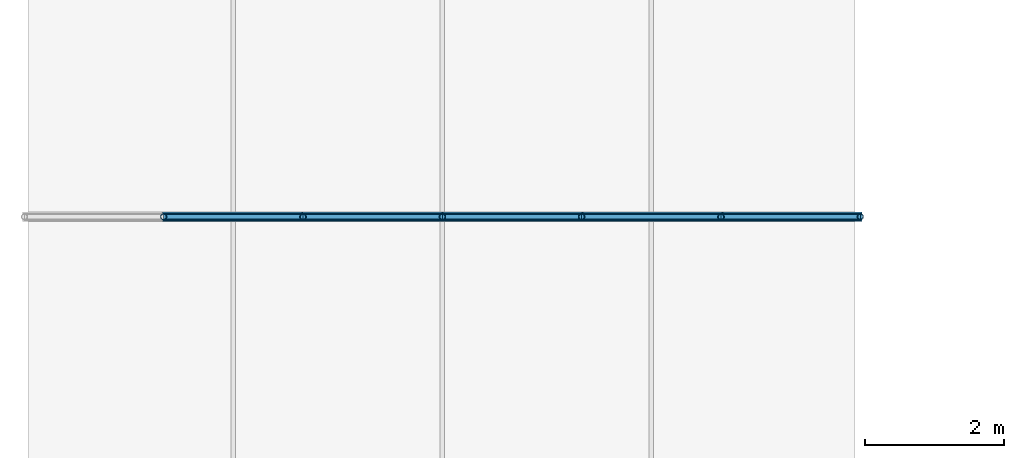
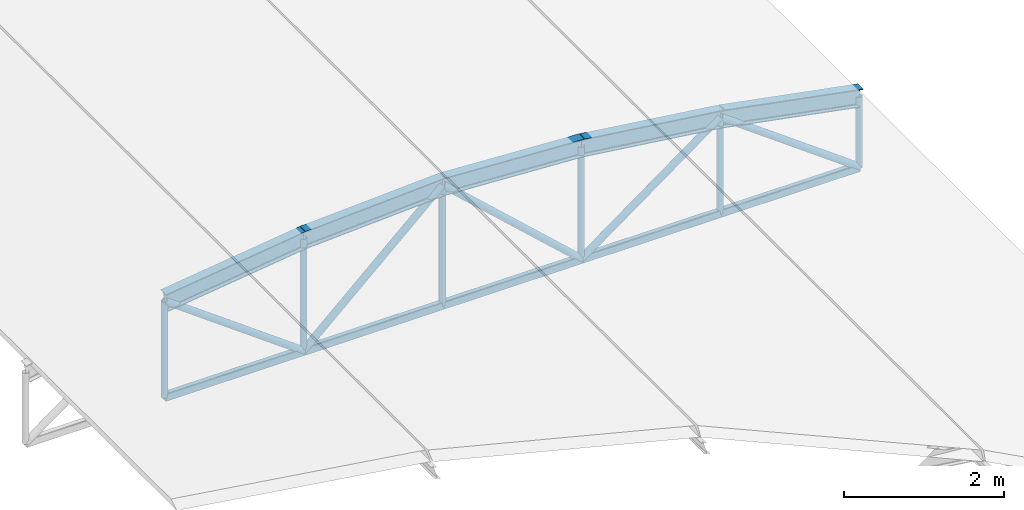
# One storey, part 42 of 54: 21 members.
"""IFC4 building model written with IfcOpenShell, lengths in metres."""

from ifc_helpers import new_model, si_unit, derived_unit, direction, frame, origin, origin_2d, place, context, subcontext, project, spatial, hollow_rectangle, hollow_circle, i_section, extrude, material, material_profile, profile_set, type_object, element, save


model = new_model("IFC4")

# Units and contexts
model_context = context("Model", 3, precision=1e-05, world=origin(), true_north=direction((0.0, 1.0)))
body_context = subcontext(model_context, "Body", "Model", "MODEL_VIEW")
ifc_project = project(units=[si_unit("LENGTHUNIT", "METRE"), si_unit("AREAUNIT", "SQUARE_METRE"), si_unit("VOLUMEUNIT", "CUBIC_METRE"), si_unit("PLANEANGLEUNIT", "RADIAN"), si_unit("MASSUNIT", "GRAM", prefix="KILO"), derived_unit("THERMALTRANSMITTANCEUNIT", [(si_unit("POWERUNIT", "WATT"), 1), (si_unit("LENGTHUNIT", "METRE"), -2), (si_unit("THERMODYNAMICTEMPERATUREUNIT", "KELVIN"), -1)])], contexts=[model_context])

# Site, building, storey
site_placement = place(None, origin())
site = spatial("IfcSite", under=ifc_project, at=site_placement, CompositionType="ELEMENT")
building_placement = place(site_placement, origin())
building = spatial("IfcBuilding", under=site, at=building_placement, Name="Keldorne Ridge Multi-Sports Centre", CompositionType="ELEMENT")
storey_placement = place(building_placement, frame((0.0, 0.0, 22.199951171875)))
storey = spatial("IfcBuildingStorey", under=building, at=storey_placement, Name="ROOF", CompositionType="ELEMENT", Elevation=22.199951171875)

# Members
ifc_material = material(Name="Steel S355", Category="steel")
ifc_material_profile_1 = material_profile(ifc_material, i_section(OverallWidth=0.135009765625, OverallDepth=0.27001953125, WebThickness=0.006591796875, FlangeThickness=0.01025390625, FilletRadius=0.014892578125, at=origin_2d()), Name="IPE 270")
ifc_profile_set_1 = profile_set([ifc_material_profile_1], Name="Steel S355")
member_type_1 = type_object("IfcMemberType", Name="MEM-RF-02", PredefinedType="RAFTER", material=ifc_profile_set_1)
member_1_placement = place(storey_placement, frame((86.0, 98.0, -12.260009765625), z_axis=(0.991654998325, 0.0, 0.128919991848), x_axis=(0.0, 1.0, 0.0)))
element("IfcMember", 1, at=member_1_placement, inside=storey, type_object=member_type_1, Name="Public Passage bowstring arch top chord 12.2", PredefinedType="RAFTER", context=body_context, shape_type="SweptSolid", body=[
    extrude(i_section(OverallWidth=0.135009765625, OverallDepth=0.27001953125, WebThickness=0.006591796875, FlangeThickness=0.01025390625, FilletRadius=0.014892578125, at=origin_2d()), origin(), (0.0, 0.0, 1.0), 2.016845703125),
])
for number, where, z_axis, x_axis, name in (
    (2, (88.0, 98.0, -12.0), (0.998487980686, 0.0, 0.054970468663), (0.0, 1.0, 0.0), "Public Passage bowstring arch top chord 12.3"),
    (3, (90.0, 98.0, -11.889892578125), (0.998487980686, 0.0, -0.054970468663), (0.0, 1.0, 0.0), "Public Passage bowstring arch top chord 12.4"),
):
    element("IfcMember", number, at=place(storey_placement, frame(where, z_axis=z_axis, x_axis=x_axis)), inside=storey, type_object=member_type_1, Name=name, PredefinedType="RAFTER", context=body_context, shape_type="SweptSolid", body=[
        extrude(i_section(OverallWidth=0.135009765625, OverallDepth=0.27001953125, WebThickness=0.006591796875, FlangeThickness=0.01025390625, FilletRadius=0.014892578125, at=origin_2d()), origin(), (0.0, 0.0, 1.0), 2.0029296875),
    ])
member_2_placement = place(storey_placement, frame((92.0, 98.0, -12.0), z_axis=(0.991654998325, 0.0, -0.128919991848), x_axis=(0.0, 1.0, 0.0)))
element("IfcMember", 4, at=member_2_placement, inside=storey, type_object=member_type_1, Name="Public Passage bowstring arch top chord 12.5", PredefinedType="RAFTER", context=body_context, shape_type="SweptSolid", body=[
    extrude(i_section(OverallWidth=0.135009765625, OverallDepth=0.27001953125, WebThickness=0.006591796875, FlangeThickness=0.01025390625, FilletRadius=0.014892578125, at=origin_2d()), origin(), (0.0, 0.0, 1.0), 2.016845703125),
])
member_3_placement = place(storey_placement, frame((94.0, 98.0, -12.260009765625), z_axis=(0.982435006317, 0.0, -0.186605086649), x_axis=(0.0, 1.0, 0.0)))
element("IfcMember", 5, at=member_3_placement, inside=storey, type_object=member_type_1, Name="Public Passage bowstring arch top chord 12.6", PredefinedType="RAFTER", context=body_context, shape_type="SweptSolid", body=[
    extrude(i_section(OverallWidth=0.135009765625, OverallDepth=0.27001953125, WebThickness=0.006591796875, FlangeThickness=0.01025390625, FilletRadius=0.014892578125, at=origin_2d()), origin(), (0.0, 0.0, 1.0), 2.03564453125),
])
ifc_material_profile_2 = material_profile(ifc_material, hollow_rectangle(XDim=0.080078125, YDim=0.1201171875, WallThickness=0.008056640625, InnerFilletRadius=0.008056640625, OuterFilletRadius=0.01611328125, at=origin_2d()), Name="RHS 120x80x8")
ifc_profile_set_2 = profile_set([ifc_material_profile_2], Name="Steel S355")
member_type_2 = type_object("IfcMemberType", Name="MEM-TC-07", PredefinedType="CHORD", material=ifc_profile_set_2)
for number, where, z_axis, x_axis, name in (
    (6, (86.0, 98.0, -13.719970703125), (1.0, 0.0, 0.0), (0.0, 1.0, 0.0), "Public Passage bowstring tie chord 12.2"),
    (7, (88.0, 98.0, -13.719970703125), (1.0, 0.0, 0.0), (0.0, 1.0, 0.0), "Public Passage bowstring tie chord 12.3"),
    (8, (90.0, 98.0, -13.719970703125), (1.0, 0.0, 0.0), (0.0, 1.0, 0.0), "Public Passage bowstring tie chord 12.4"),
    (9, (92.0, 98.0, -13.719970703125), (1.0, 0.0, 0.0), (0.0, 1.0, 0.0), "Public Passage bowstring tie chord 12.5"),
    (10, (94.0, 98.0, -13.719970703125), (1.0, 0.0, 0.0), (0.0, 1.0, 0.0), "Public Passage bowstring tie chord 12.6"),
):
    element("IfcMember", number, at=place(storey_placement, frame(where, z_axis=z_axis, x_axis=x_axis)), inside=storey, type_object=member_type_2, Name=name, PredefinedType="CHORD", context=body_context, shape_type="SweptSolid", body=[
        extrude(hollow_rectangle(XDim=0.080078125, YDim=0.1201171875, WallThickness=0.008056640625, InnerFilletRadius=0.008056640625, OuterFilletRadius=0.01611328125, at=origin_2d()), origin(), (0.0, 0.0, 1.0), 2.0),
    ])
ifc_material_profile_3 = material_profile(ifc_material, hollow_circle(Radius=0.05078125, WallThickness=0.00634765625, at=origin_2d()), Name="CHS 101.6x6.3")
ifc_profile_set_3 = profile_set([ifc_material_profile_3], Name="Steel S355")
member_type_3 = type_object("IfcMemberType", Name="MEM-TD-05", PredefinedType="BRACE", material=ifc_profile_set_3)
member_4_placement = place(storey_placement, frame((86.0, 98.0, -12.260009765625), z_axis=(0.8076945033, 0.0, -0.589601212125), x_axis=(0.0, 1.0, 0.0)))
element("IfcMember", 11, at=member_4_placement, inside=storey, type_object=member_type_3, Name="Public Passage bowstring web diagonal 12.2", PredefinedType="BRACE", context=body_context, shape_type="SweptSolid", body=[
    extrude(hollow_circle(Radius=0.05078125, WallThickness=0.00634765625, at=origin_2d()), origin(), (0.0, 0.0, 1.0), 2.47607421875),
])
for number, where, z_axis, x_axis, name in (
    (12, (88.0, 98.0, -13.719970703125), (0.737751969913, 0.0, 0.675071870907), (0.0, 1.0, 0.0), "Public Passage bowstring web diagonal 12.3"),
    (13, (90.0, 98.0, -11.889892578125), (0.737751969913, 0.0, -0.675071870907), (0.0, 1.0, 0.0), "Public Passage bowstring web diagonal 12.4"),
):
    element("IfcMember", number, at=place(storey_placement, frame(where, z_axis=z_axis, x_axis=x_axis)), inside=storey, type_object=member_type_3, Name=name, PredefinedType="BRACE", context=body_context, shape_type="SweptSolid", body=[
        extrude(hollow_circle(Radius=0.05078125, WallThickness=0.00634765625, at=origin_2d()), origin(), (0.0, 0.0, 1.0), 2.7109375),
    ])
for number, where, z_axis, x_axis, name in (
    (14, (92.0, 98.0, -13.719970703125), (0.8076945033, 0.0, 0.589601212125), (0.0, 1.0, 0.0), "Public Passage bowstring web diagonal 12.5"),
    (15, (94.0, 98.0, -12.260009765625), (0.8076945033, 0.0, -0.589601212125), (0.0, 1.0, 0.0), "Public Passage bowstring web diagonal 12.6"),
):
    element("IfcMember", number, at=place(storey_placement, frame(where, z_axis=z_axis, x_axis=x_axis)), inside=storey, type_object=member_type_3, Name=name, PredefinedType="BRACE", context=body_context, shape_type="SweptSolid", body=[
        extrude(hollow_circle(Radius=0.05078125, WallThickness=0.00634765625, at=origin_2d()), origin(), (0.0, 0.0, 1.0), 2.47607421875),
    ])
ifc_material_profile_4 = material_profile(ifc_material, hollow_circle(Radius=0.04443359375, WallThickness=0.0048828125, at=origin_2d()), Name="CHS 88.9x5")
ifc_profile_set_4 = profile_set([ifc_material_profile_4], Name="Steel S355")
member_type_4 = type_object("IfcMemberType", Name="MEM-TV-07", PredefinedType="STRUT", material=ifc_profile_set_4)
member_5_placement = place(storey_placement, frame((86.0, 98.0, -13.719970703125), z_axis=(0.0, 0.0, 1.0), x_axis=(1.0, 0.0, 0.0)))
element("IfcMember", 16, at=member_5_placement, inside=storey, type_object=member_type_4, Name="Public Passage bowstring hanger 12.2", PredefinedType="STRUT", context=body_context, shape_type="SweptSolid", body=[
    extrude(hollow_circle(Radius=0.04443359375, WallThickness=0.0048828125, at=origin_2d()), origin(), (0.0, 0.0, 1.0), 1.4599609375),
])
member_6_placement = place(storey_placement, frame((88.0, 98.0, -13.719970703125), z_axis=(0.0, 0.0, 1.0), x_axis=(1.0, 0.0, 0.0)))
element("IfcMember", 17, at=member_6_placement, inside=storey, type_object=member_type_4, Name="Public Passage bowstring hanger 12.3", PredefinedType="STRUT", context=body_context, shape_type="SweptSolid", body=[
    extrude(hollow_circle(Radius=0.04443359375, WallThickness=0.0048828125, at=origin_2d()), origin(), (0.0, 0.0, 1.0), 1.719970703125),
])
member_7_placement = place(storey_placement, frame((90.0, 98.0, -13.719970703125), z_axis=(0.0, 0.0, 1.0), x_axis=(1.0, 0.0, 0.0)))
element("IfcMember", 18, at=member_7_placement, inside=storey, type_object=member_type_4, Name="Public Passage bowstring hanger 12.4", PredefinedType="STRUT", context=body_context, shape_type="SweptSolid", body=[
    extrude(hollow_circle(Radius=0.04443359375, WallThickness=0.0048828125, at=origin_2d()), origin(), (0.0, 0.0, 1.0), 1.830078125),
])
member_8_placement = place(storey_placement, frame((92.0, 98.0, -13.719970703125), z_axis=(0.0, 0.0, 1.0), x_axis=(1.0, 0.0, 0.0)))
element("IfcMember", 19, at=member_8_placement, inside=storey, type_object=member_type_4, Name="Public Passage bowstring hanger 12.5", PredefinedType="STRUT", context=body_context, shape_type="SweptSolid", body=[
    extrude(hollow_circle(Radius=0.04443359375, WallThickness=0.0048828125, at=origin_2d()), origin(), (0.0, 0.0, 1.0), 1.719970703125),
])
member_9_placement = place(storey_placement, frame((94.0, 98.0, -13.719970703125), z_axis=(0.0, 0.0, 1.0), x_axis=(1.0, 0.0, 0.0)))
element("IfcMember", 20, at=member_9_placement, inside=storey, type_object=member_type_4, Name="Public Passage bowstring hanger 12.6", PredefinedType="STRUT", context=body_context, shape_type="SweptSolid", body=[
    extrude(hollow_circle(Radius=0.04443359375, WallThickness=0.0048828125, at=origin_2d()), origin(), (0.0, 0.0, 1.0), 1.4599609375),
])
member_10_placement = place(storey_placement, frame((96.0, 98.0, -13.719970703125), z_axis=(0.0, 0.0, 1.0), x_axis=(1.0, 0.0, 0.0)))
element("IfcMember", 21, at=member_10_placement, inside=storey, type_object=member_type_4, Name="Public Passage bowstring hanger 12.7", PredefinedType="STRUT", context=body_context, shape_type="SweptSolid", body=[
    extrude(hollow_circle(Radius=0.04443359375, WallThickness=0.0048828125, at=origin_2d()), origin(), (0.0, 0.0, 1.0), 1.080078125),
])

save(model, "model.ifc")
